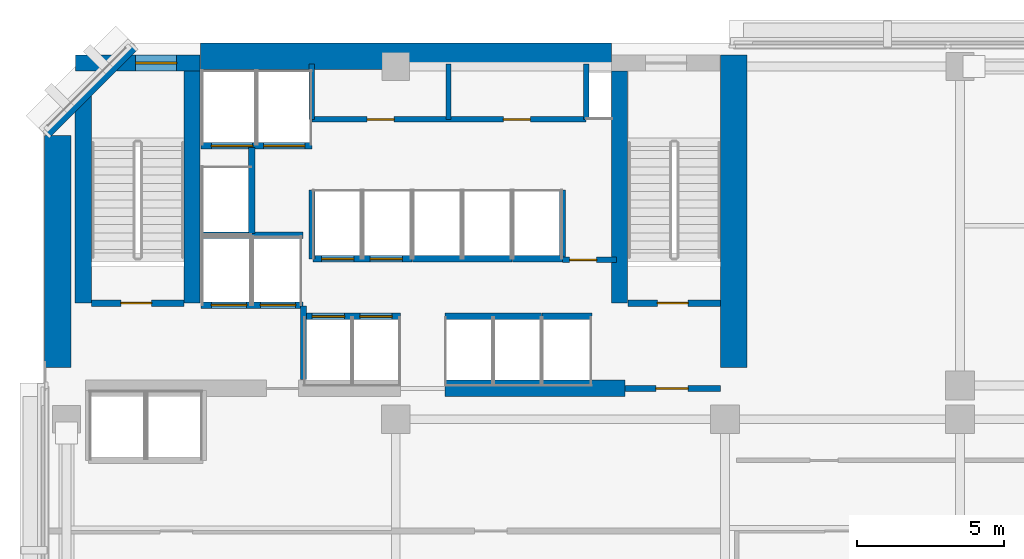
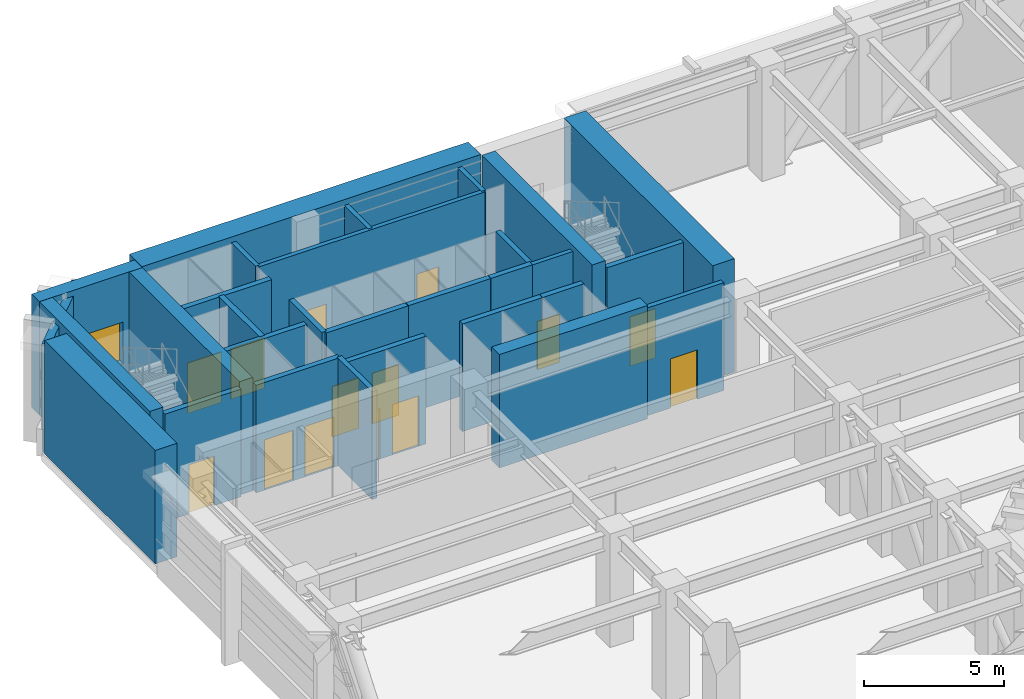
# One storey, part 7 of 13: 30 walls, 14 doors, 1 window, 15 openings.
"""IFC4 building model written with IfcOpenShell, lengths in metres."""

from ifc_helpers import new_model, si_unit, direction, frame, frame_2d, origin, place, context, subcontext, project, spatial, rectangle, extrude, material, layer, layer_set, type_object, element, fill, save


model = new_model("IFC4")

# Units and contexts
model_context = context("Model", 3, precision=1e-05, world=origin(), true_north=direction((0.0, 1.0)))
body_context = subcontext(model_context, "Body", "Model", "MODEL_VIEW")
ifc_project = project(units=[si_unit("LENGTHUNIT", "METRE"), si_unit("AREAUNIT", "SQUARE_METRE"), si_unit("VOLUMEUNIT", "CUBIC_METRE"), si_unit("PLANEANGLEUNIT", "RADIAN"), si_unit("MASSUNIT", "GRAM", prefix="KILO")], contexts=[model_context])

# Site, building, storey
site_placement = place(None, origin())
site = spatial("IfcSite", under=ifc_project, at=site_placement, CompositionType="ELEMENT")
building_placement = place(site_placement, origin())
building = spatial("IfcBuilding", under=site, at=building_placement, Name="Kefirva Bronze Tower", CompositionType="ELEMENT")
storey_placement = place(building_placement, frame((0.0, 0.0, 93.719970703125)))
storey = spatial("IfcBuildingStorey", under=building, at=storey_placement, Name="L22", CompositionType="ELEMENT", Elevation=93.719970703125)

# Wall, opening, door
ifc_material_1 = material(Name="Gypsum fireboard shaftwall")
ifc_layer_1 = layer(ifc_material_1, 0.219970703125, Name="Gypsum fireboard shaftwall")
ifc_layer_set_1 = layer_set([ifc_layer_1], Name="Gypsum fireboard shaftwall")
wall_type_1 = type_object("IfcWallType", Name="Fire-Rated Shaft Enclosure Wall 220mm", PredefinedType="PARTITIONING", material=ifc_layer_set_1)
wall_1_placement = place(storey_placement, frame((1.64990234375, 37.14990234375, 0.0), z_axis=(0.0, 0.0, 1.0), x_axis=(1.0, 0.0, 0.0)))
wall_1 = element("IfcWall", 1, at=wall_1_placement, inside=storey, type_object=wall_type_1, Name="L22 Partition W-L22-ST1S", PredefinedType="PARTITIONING", context=body_context, shape_type="SweptSolid", body=[
    extrude(rectangle(XDim=3.150146484375, YDim=0.219970703125, at=frame_2d((1.5751953125, 0.0))), origin(), (0.0, 0.0, 1.0), 4.699951171875),
])
opening_1_placement = place(wall_1_placement, frame((2.050048828125, 0.0, 0.0), z_axis=(0.0, 0.0, 1.0), x_axis=(-1.0, 0.0, 0.0)))
opening_1 = element("IfcOpeningElement", 2, at=opening_1_placement, cuts=wall_1, Name="Opening L22-D001", PredefinedType="OPENING", context=body_context, shape_type="SweptSolid", body=[
    extrude(rectangle(XDim=1.050048828125, YDim=2.14990234375, at=frame_2d((0.52490234375, 1.074951171875))), frame((0.0, 0.1201171875, 0.0), z_axis=(0.0, -1.0, 0.0), x_axis=(1.0, 0.0, 0.0)), (0.0, 0.0, 1.0), 0.239990234375),
])
ifc_material_2 = material(Name="Painted galvanized steel", Category="steel")
door_type_1 = type_object("IfcDoorType", Name="Fire Stair Enclosure Door 1050x2150 FD90S", OperationType="NOTDEFINED", PredefinedType="DOOR", material=ifc_material_2)
door_1_placement = place(opening_1_placement, origin())
door_1 = element("IfcDoor", 3, at=door_1_placement, inside=storey, type_object=door_type_1, Name="Door L22-D001", OperationType="SINGLE_SWING_RIGHT", OverallHeight=2.14990234375, OverallWidth=1.050048828125, PredefinedType="DOOR", context=body_context, shape_type="SweptSolid", body=[
    extrude(rectangle(XDim=1.050048828125, YDim=2.14990234375, at=frame_2d((0.52490234375, 1.074951171875))), frame((0.0, 0.02490234375, 0.0), z_axis=(0.0, -1.0, 0.0), x_axis=(1.0, 0.0, 0.0)), (0.0, 0.0, 1.0), 0.050048828125),
])
fill(opening_1, door_1)

wall_2_placement = place(storey_placement, frame((19.89990234375, 37.14990234375, 0.0), z_axis=(0.0, 0.0, 1.0), x_axis=(1.0, 0.0, 0.0)))
wall_2 = element("IfcWall", 4, at=wall_2_placement, inside=storey, type_object=wall_type_1, Name="L22 Partition W-L22-ST2S", PredefinedType="PARTITIONING", context=body_context, shape_type="SweptSolid", body=[
    extrude(rectangle(XDim=3.150146484375, YDim=0.219970703125, at=frame_2d((1.5751953125, 0.0))), origin(), (0.0, 0.0, 1.0), 4.699951171875),
])
opening_2_placement = place(wall_2_placement, frame((2.050048828125, 0.0, 0.0), z_axis=(0.0, 0.0, 1.0), x_axis=(-1.0, 0.0, 0.0)))
opening_2 = element("IfcOpeningElement", 5, at=opening_2_placement, cuts=wall_2, Name="Opening L22-D003", PredefinedType="OPENING", context=body_context, shape_type="SweptSolid", body=[
    extrude(rectangle(XDim=1.050048828125, YDim=2.14990234375, at=frame_2d((0.52490234375, 1.074951171875))), frame((0.0, 0.1201171875, 0.0), z_axis=(0.0, -1.0, 0.0), x_axis=(1.0, 0.0, 0.0)), (0.0, 0.0, 1.0), 0.239990234375),
])
door_2_placement = place(opening_2_placement, origin())
door_2 = element("IfcDoor", 6, at=door_2_placement, inside=storey, type_object=door_type_1, Name="Door L22-D003", OperationType="SINGLE_SWING_RIGHT", OverallHeight=2.14990234375, OverallWidth=1.050048828125, PredefinedType="DOOR", context=body_context, shape_type="SweptSolid", body=[
    extrude(rectangle(XDim=1.050048828125, YDim=2.14990234375, at=frame_2d((0.52490234375, 1.074951171875))), frame((0.0, 0.02490234375, 0.0), z_axis=(0.0, -1.0, 0.0), x_axis=(1.0, 0.0, 0.0)), (0.0, 0.0, 1.0), 0.050048828125),
])
fill(opening_2, door_2)

# Wall, openings, doors
wall_3_placement = place(storey_placement, frame((5.3798828125, 37.080078125, 0.0), z_axis=(0.0, 0.0, 1.0), x_axis=(1.0, 0.0, 0.0)))
wall_3 = element("IfcWall", 7, at=wall_3_placement, inside=storey, type_object=wall_type_1, Name="L22 Partition W-L22-FFS", PredefinedType="PARTITIONING", context=body_context, shape_type="SweptSolid", body=[
    extrude(rectangle(XDim=3.460205078125, YDim=0.219970703125, at=frame_2d((1.72998046875, 0.0))), origin(), (0.0, 0.0, 1.0), 4.699951171875),
])
opening_3_placement = place(wall_3_placement, frame((1.550048828125, 0.0, 0.0), z_axis=(0.0, 0.0, 1.0), x_axis=(-1.0, 0.0, 0.0)))
opening_3 = element("IfcOpeningElement", 8, at=opening_3_placement, cuts=wall_3, Name="Opening L22-LD-FF1", PredefinedType="OPENING", context=body_context, shape_type="SweptSolid", body=[
    extrude(rectangle(XDim=1.199951171875, YDim=2.199951171875, at=frame_2d((0.60009765625, 1.10009765625))), frame((0.0, 0.1201171875, 0.0), z_axis=(0.0, -1.0, 0.0), x_axis=(1.0, 0.0, 0.0)), (0.0, 0.0, 1.0), 0.239990234375),
])
opening_4_placement = place(wall_3_placement, frame((3.219970703125, 0.0, 0.0), z_axis=(0.0, 0.0, 1.0), x_axis=(-1.0, 0.0, 0.0)))
opening_4 = element("IfcOpeningElement", 9, at=opening_4_placement, cuts=wall_3, Name="Opening L22-LD-FF2", PredefinedType="OPENING", context=body_context, shape_type="SweptSolid", body=[
    extrude(rectangle(XDim=1.199951171875, YDim=2.199951171875, at=frame_2d((0.60009765625, 1.10009765625))), frame((0.0, 0.1201171875, 0.0), z_axis=(0.0, -1.0, 0.0), x_axis=(1.0, 0.0, 0.0)), (0.0, 0.0, 1.0), 0.239990234375),
])
ifc_material_3 = material(Name="Stainless steel 316", Category="steel")
door_type_2 = type_object("IfcDoorType", Name="Firefighting Lift Sliding Door 1200x2200", OperationType="SLIDING_TO_RIGHT", PredefinedType="DOOR", material=ifc_material_3)
door_3_placement = place(opening_3_placement, origin())
door_3 = element("IfcDoor", 10, at=door_3_placement, inside=storey, type_object=door_type_2, Name="Door L22-LD-FF1", OperationType="SLIDING_TO_RIGHT", OverallHeight=2.199951171875, OverallWidth=1.199951171875, PredefinedType="DOOR", context=body_context, shape_type="SweptSolid", body=[
    extrude(rectangle(XDim=1.199951171875, YDim=2.199951171875, at=frame_2d((0.60009765625, 1.10009765625))), frame((0.0, 0.02490234375, 0.0), z_axis=(0.0, -1.0, 0.0), x_axis=(1.0, 0.0, 0.0)), (0.0, 0.0, 1.0), 0.050048828125),
])
fill(opening_3, door_3)
door_4_placement = place(opening_4_placement, origin())
door_4 = element("IfcDoor", 11, at=door_4_placement, inside=storey, type_object=door_type_2, Name="Door L22-LD-FF2", OperationType="SLIDING_TO_RIGHT", OverallHeight=2.199951171875, OverallWidth=1.199951171875, PredefinedType="DOOR", context=body_context, shape_type="SweptSolid", body=[
    extrude(rectangle(XDim=1.199951171875, YDim=2.199951171875, at=frame_2d((0.60009765625, 1.10009765625))), frame((0.0, 0.02490234375, 0.0), z_axis=(0.0, -1.0, 0.0), x_axis=(1.0, 0.0, 0.0)), (0.0, 0.0, 1.0), 0.050048828125),
])
fill(opening_4, door_4)

# Wall
wall_4_placement = place(storey_placement, frame((5.3798828125, 39.449951171875, 0.0), z_axis=(0.0, 0.0, 1.0), x_axis=(1.0, 0.0, 0.0)))
element("IfcWall", 12, at=wall_4_placement, inside=storey, type_object=wall_type_1, Name="L22 Partition W-L22-FFN", PredefinedType="PARTITIONING", context=body_context, shape_type="SweptSolid", body=[
    extrude(rectangle(XDim=3.460205078125, YDim=0.219970703125, at=frame_2d((1.72998046875, 0.0))), origin(), (0.0, 0.0, 1.0), 4.699951171875),
])

# Wall, openings, doors
wall_5_placement = place(storey_placement, frame((5.3798828125, 42.5, 0.0), z_axis=(0.0, 0.0, 1.0), x_axis=(1.0, 0.0, 0.0)))
wall_5 = element("IfcWall", 13, at=wall_5_placement, inside=storey, type_object=wall_type_1, Name="L22 Partition W-L22-SVS", PredefinedType="PARTITIONING", context=body_context, shape_type="SweptSolid", body=[
    extrude(rectangle(XDim=3.77001953125, YDim=0.219970703125, at=frame_2d((1.885009765625, 0.0))), origin(), (0.0, 0.0, 1.0), 4.699951171875),
])
opening_5_placement = place(wall_5_placement, frame((1.75, 0.0, 0.0), z_axis=(0.0, 0.0, 1.0), x_axis=(-1.0, 0.0, 0.0)))
opening_5 = element("IfcOpeningElement", 14, at=opening_5_placement, cuts=wall_5, Name="Opening L22-LD-SV1", PredefinedType="OPENING", context=body_context, shape_type="SweptSolid", body=[
    extrude(rectangle(XDim=1.39990234375, YDim=2.199951171875, at=frame_2d((0.699951171875, 1.10009765625))), frame((0.0, 0.1201171875, 0.0), z_axis=(0.0, -1.0, 0.0), x_axis=(1.0, 0.0, 0.0)), (0.0, 0.0, 1.0), 0.239990234375),
])
opening_6_placement = place(wall_5_placement, frame((3.52978515625, 0.0, 0.0), z_axis=(0.0, 0.0, 1.0), x_axis=(-1.0, 0.0, 0.0)))
opening_6 = element("IfcOpeningElement", 15, at=opening_6_placement, cuts=wall_5, Name="Opening L22-LD-SV2", PredefinedType="OPENING", context=body_context, shape_type="SweptSolid", body=[
    extrude(rectangle(XDim=1.39990234375, YDim=2.199951171875, at=frame_2d((0.699951171875, 1.10009765625))), frame((0.0, 0.1201171875, 0.0), z_axis=(0.0, -1.0, 0.0), x_axis=(1.0, 0.0, 0.0)), (0.0, 0.0, 1.0), 0.239990234375),
])
door_type_3 = type_object("IfcDoorType", Name="Goods Lift Bi-Parting Sliding Door 1400x2200", OperationType="SLIDING_TO_LEFT", PredefinedType="DOOR", material=ifc_material_3)
door_5_placement = place(opening_5_placement, origin())
door_5 = element("IfcDoor", 16, at=door_5_placement, inside=storey, type_object=door_type_3, Name="Door L22-LD-SV1", OperationType="SLIDING_TO_LEFT", OverallHeight=2.199951171875, OverallWidth=1.39990234375, PredefinedType="DOOR", context=body_context, shape_type="SweptSolid", body=[
    extrude(rectangle(XDim=1.39990234375, YDim=2.199951171875, at=frame_2d((0.699951171875, 1.10009765625))), frame((0.0, 0.02490234375, 0.0), z_axis=(0.0, -1.0, 0.0), x_axis=(1.0, 0.0, 0.0)), (0.0, 0.0, 1.0), 0.050048828125),
])
fill(opening_5, door_5)
door_6_placement = place(opening_6_placement, origin())
door_6 = element("IfcDoor", 17, at=door_6_placement, inside=storey, type_object=door_type_3, Name="Door L22-LD-SV2", OperationType="SLIDING_TO_LEFT", OverallHeight=2.199951171875, OverallWidth=1.39990234375, PredefinedType="DOOR", context=body_context, shape_type="SweptSolid", body=[
    extrude(rectangle(XDim=1.39990234375, YDim=2.199951171875, at=frame_2d((0.699951171875, 1.10009765625))), frame((0.0, 0.02490234375, 0.0), z_axis=(0.0, -1.0, 0.0), x_axis=(1.0, 0.0, 0.0)), (0.0, 0.0, 1.0), 0.050048828125),
])
fill(opening_6, door_6)

# Walls
wall_6_placement = place(storey_placement, frame((7.10009765625, 39.52001953125, 0.0), z_axis=(0.0, 0.0, 1.0), x_axis=(0.0, 1.0, 0.0)))
element("IfcWall", 18, at=wall_6_placement, inside=storey, type_object=wall_type_1, Name="L22 Partition W-L22-HP3E", PredefinedType="PARTITIONING", context=body_context, shape_type="SweptSolid", body=[
    extrude(rectangle(XDim=2.929931640625, YDim=0.219970703125, at=frame_2d((1.46484375, 0.0))), origin(), (0.0, 0.0, 1.0), 4.699951171875),
])
for number, where, z_axis, x_axis, name in (
    (19, (9.159912109375, 38.64990234375, 0.0), (0.0, 0.0, 1.0), (0.0, 1.0, 0.0), "L22 Partition W-L22-LP3W"),
    (20, (17.679931640625, 38.64990234375, 0.0), (0.0, 0.0, 1.0), (0.0, 1.0, 0.0), "L22 Partition W-L22-HP2E"),
):
    element("IfcWall", number, at=place(storey_placement, frame(where, z_axis=z_axis, x_axis=x_axis)), inside=storey, type_object=wall_type_1, Name=name, PredefinedType="PARTITIONING", context=body_context, shape_type="SweptSolid", body=[
        extrude(rectangle(XDim=2.35009765625, YDim=0.199951171875, at=frame_2d((1.175048828125, 0.0))), origin(), (0.0, 0.0, 1.0), 4.699951171875),
    ])

# Wall, openings, doors
wall_7_placement = place(storey_placement, frame((8.89990234375, 36.699951171875, 0.0), z_axis=(0.0, 0.0, 1.0), x_axis=(1.0, 0.0, 0.0)))
wall_7 = element("IfcWall", 21, at=wall_7_placement, inside=storey, type_object=wall_type_1, Name="L22 Partition W-L22-LPS", PredefinedType="PARTITIONING", context=body_context, shape_type="SweptSolid", body=[
    extrude(rectangle(XDim=3.260009765625, YDim=0.219970703125, at=frame_2d((1.6298828125, 0.0))), origin(), (0.0, 0.0, 1.0), 4.699951171875),
])
opening_7_placement = place(wall_7_placement, frame((0.260009765625, 0.0, 0.0)))
opening_7 = element("IfcOpeningElement", 22, at=opening_7_placement, cuts=wall_7, Name="Opening L22-LD-LP1", PredefinedType="OPENING", context=body_context, shape_type="SweptSolid", body=[
    extrude(rectangle(XDim=1.10009765625, YDim=2.199951171875, at=frame_2d((0.550048828125, 1.10009765625))), frame((0.0, 0.1201171875, 0.0), z_axis=(0.0, -1.0, 0.0), x_axis=(1.0, 0.0, 0.0)), (0.0, 0.0, 1.0), 0.239990234375),
])
opening_8_placement = place(wall_7_placement, frame((1.8798828125, 0.0, 0.0)))
opening_8 = element("IfcOpeningElement", 23, at=opening_8_placement, cuts=wall_7, Name="Opening L22-LD-LP2", PredefinedType="OPENING", context=body_context, shape_type="SweptSolid", body=[
    extrude(rectangle(XDim=1.10009765625, YDim=2.199951171875, at=frame_2d((0.550048828125, 1.10009765625))), frame((0.0, 0.1201171875, 0.0), z_axis=(0.0, -1.0, 0.0), x_axis=(1.0, 0.0, 0.0)), (0.0, 0.0, 1.0), 0.239990234375),
])
door_type_4 = type_object("IfcDoorType", Name="Passenger Lift Sliding Landing Door 1100x2200", OperationType="SLIDING_TO_LEFT", PredefinedType="DOOR", material=ifc_material_3)
door_7_placement = place(opening_7_placement, origin())
door_7 = element("IfcDoor", 24, at=door_7_placement, inside=storey, type_object=door_type_4, Name="Door L22-LD-LP1", OperationType="SLIDING_TO_LEFT", OverallHeight=2.199951171875, OverallWidth=1.10009765625, PredefinedType="DOOR", context=body_context, shape_type="SweptSolid", body=[
    extrude(rectangle(XDim=1.10009765625, YDim=2.199951171875, at=frame_2d((0.550048828125, 1.10009765625))), frame((0.0, 0.02490234375, 0.0), z_axis=(0.0, -1.0, 0.0), x_axis=(1.0, 0.0, 0.0)), (0.0, 0.0, 1.0), 0.050048828125),
])
fill(opening_7, door_7)
door_8_placement = place(opening_8_placement, origin())
door_8 = element("IfcDoor", 25, at=door_8_placement, inside=storey, type_object=door_type_4, Name="Door L22-LD-LP2", OperationType="SLIDING_TO_LEFT", OverallHeight=2.199951171875, OverallWidth=1.10009765625, PredefinedType="DOOR", context=body_context, shape_type="SweptSolid", body=[
    extrude(rectangle(XDim=1.10009765625, YDim=2.199951171875, at=frame_2d((0.550048828125, 1.10009765625))), frame((0.0, 0.02490234375, 0.0), z_axis=(0.0, -1.0, 0.0), x_axis=(1.0, 0.0, 0.0)), (0.0, 0.0, 1.0), 0.050048828125),
])
fill(opening_8, door_8)

wall_8_placement = place(storey_placement, frame((9.179931640625, 38.64990234375, 0.0), z_axis=(0.0, 0.0, 1.0), x_axis=(1.0, 0.0, 0.0)))
wall_8 = element("IfcWall", 26, at=wall_8_placement, inside=storey, type_object=wall_type_1, Name="L22 Partition W-L22-LPN", PredefinedType="PARTITIONING", context=body_context, shape_type="SweptSolid", body=[
    extrude(rectangle(XDim=3.380126953125, YDim=0.219970703125, at=frame_2d((1.68994140625, 0.0))), origin(), (0.0, 0.0, 1.0), 4.699951171875),
])
opening_9_placement = place(wall_8_placement, frame((0.300048828125, 0.0, 0.0)))
opening_9 = element("IfcOpeningElement", 27, at=opening_9_placement, cuts=wall_8, Name="Opening L22-LD-LP3", PredefinedType="OPENING", context=body_context, shape_type="SweptSolid", body=[
    extrude(rectangle(XDim=1.10009765625, YDim=2.199951171875, at=frame_2d((0.550048828125, 1.10009765625))), frame((0.0, 0.1201171875, 0.0), z_axis=(0.0, -1.0, 0.0), x_axis=(1.0, 0.0, 0.0)), (0.0, 0.0, 1.0), 0.239990234375),
])
opening_10_placement = place(wall_8_placement, frame((1.949951171875, 0.0, 0.0)))
opening_10 = element("IfcOpeningElement", 28, at=opening_10_placement, cuts=wall_8, Name="Opening L22-LD-LP4", PredefinedType="OPENING", context=body_context, shape_type="SweptSolid", body=[
    extrude(rectangle(XDim=1.10009765625, YDim=2.199951171875, at=frame_2d((0.550048828125, 1.10009765625))), frame((0.0, 0.1201171875, 0.0), z_axis=(0.0, -1.0, 0.0), x_axis=(1.0, 0.0, 0.0)), (0.0, 0.0, 1.0), 0.239990234375),
])
door_9_placement = place(opening_9_placement, origin())
door_9 = element("IfcDoor", 29, at=door_9_placement, inside=storey, type_object=door_type_4, Name="Door L22-LD-LP3", OperationType="SLIDING_TO_LEFT", OverallHeight=2.199951171875, OverallWidth=1.10009765625, PredefinedType="DOOR", context=body_context, shape_type="SweptSolid", body=[
    extrude(rectangle(XDim=1.10009765625, YDim=2.199951171875, at=frame_2d((0.550048828125, 1.10009765625))), frame((0.0, 0.02490234375, 0.0), z_axis=(0.0, -1.0, 0.0), x_axis=(1.0, 0.0, 0.0)), (0.0, 0.0, 1.0), 0.050048828125),
])
fill(opening_9, door_9)
door_10_placement = place(opening_10_placement, origin())
door_10 = element("IfcDoor", 30, at=door_10_placement, inside=storey, type_object=door_type_4, Name="Door L22-LD-LP4", OperationType="SLIDING_TO_LEFT", OverallHeight=2.199951171875, OverallWidth=1.10009765625, PredefinedType="DOOR", context=body_context, shape_type="SweptSolid", body=[
    extrude(rectangle(XDim=1.10009765625, YDim=2.199951171875, at=frame_2d((0.550048828125, 1.10009765625))), frame((0.0, 0.02490234375, 0.0), z_axis=(0.0, -1.0, 0.0), x_axis=(1.0, 0.0, 0.0)), (0.0, 0.0, 1.0), 0.050048828125),
])
fill(opening_10, door_10)

# Walls
wall_9_placement = place(storey_placement, frame((13.679931640625, 36.699951171875, 0.0), z_axis=(0.0, 0.0, 1.0), x_axis=(1.0, 0.0, 0.0)))
element("IfcWall", 31, at=wall_9_placement, inside=storey, type_object=wall_type_1, Name="L22 Partition W-L22-MPS", PredefinedType="PARTITIONING", context=body_context, shape_type="SweptSolid", body=[
    extrude(rectangle(XDim=3.280029296875, YDim=0.219970703125, at=frame_2d((1.64013671875, 0.0))), origin(), (0.0, 0.0, 1.0), 4.699951171875),
])
wall_10_placement = place(storey_placement, frame((12.580078125, 38.64990234375, 0.0), z_axis=(0.0, 0.0, 1.0), x_axis=(1.0, 0.0, 0.0)))
element("IfcWall", 32, at=wall_10_placement, inside=storey, type_object=wall_type_1, Name="L22 Partition W-L22-MPN", PredefinedType="PARTITIONING", context=body_context, shape_type="SweptSolid", body=[
    extrude(rectangle(XDim=3.3798828125, YDim=0.219970703125, at=frame_2d((1.68994140625, 0.0))), origin(), (0.0, 0.0, 1.0), 4.699951171875),
])
wall_11_placement = place(storey_placement, frame((16.97998046875, 36.699951171875, 0.0), z_axis=(0.0, 0.0, 1.0), x_axis=(1.0, 0.0, 0.0)))
element("IfcWall", 33, at=wall_11_placement, inside=storey, type_object=wall_type_1, Name="L22 Partition W-L22-HPS", PredefinedType="PARTITIONING", context=body_context, shape_type="SweptSolid", body=[
    extrude(rectangle(XDim=1.699951171875, YDim=0.219970703125, at=frame_2d((0.85009765625, 0.0))), origin(), (0.0, 0.0, 1.0), 4.699951171875),
])
wall_12_placement = place(storey_placement, frame((15.97998046875, 38.64990234375, 0.0), z_axis=(0.0, 0.0, 1.0), x_axis=(1.0, 0.0, 0.0)))
element("IfcWall", 34, at=wall_12_placement, inside=storey, type_object=wall_type_1, Name="L22 Partition W-L22-HPN", PredefinedType="PARTITIONING", context=body_context, shape_type="SweptSolid", body=[
    extrude(rectangle(XDim=1.719970703125, YDim=0.219970703125, at=frame_2d((0.85986328125, 0.0))), origin(), (0.0, 0.0, 1.0), 4.699951171875),
])
ifc_material_4 = material(Name="Gypsum fireboard barrier")
ifc_layer_2 = layer(ifc_material_4, 0.199951171875, Name="Gypsum fireboard barrier")
ifc_layer_set_2 = layer_set([ifc_layer_2], Name="Gypsum fireboard barrier")
wall_type_2 = type_object("IfcWallType", Name="Firefighting Lobby Barrier Wall 200mm", PredefinedType="PARTITIONING", material=ifc_layer_set_2)
wall_13_placement = place(storey_placement, frame((8.860107421875, 34.550048828125, 0.0), z_axis=(0.0, 0.0, 1.0), x_axis=(0.0, 1.0, 0.0)))
element("IfcWall", 35, at=wall_13_placement, inside=storey, type_object=wall_type_2, Name="L22 Partition W-L22-FFLE", PredefinedType="PARTITIONING", context=body_context, shape_type="SweptSolid", body=[
    extrude(rectangle(XDim=2.5, YDim=0.199951171875, at=frame_2d((1.25, 0.0))), origin(), (0.0, 0.0, 1.0), 4.699951171875),
])

# Wall, opening, door
wall_14_placement = place(storey_placement, frame((19.800048828125, 34.25, 0.0), z_axis=(0.0, 0.0, 1.0), x_axis=(1.0, 0.0, 0.0)))
wall_14 = element("IfcWall", 36, at=wall_14_placement, inside=storey, type_object=wall_type_2, Name="L22 Partition W-L22-ST2F", PredefinedType="PARTITIONING", context=body_context, shape_type="SweptSolid", body=[
    extrude(rectangle(XDim=3.25, YDim=0.199951171875, at=frame_2d((1.625, 0.0))), origin(), (0.0, 0.0, 1.0), 4.699951171875),
])
opening_11_placement = place(wall_14_placement, frame((2.150146484375, 0.0, 0.0), z_axis=(0.0, 0.0, 1.0), x_axis=(-1.0, 0.0, 0.0)))
opening_11 = element("IfcOpeningElement", 37, at=opening_11_placement, cuts=wall_14, Name="Opening L22-D004", PredefinedType="OPENING", context=body_context, shape_type="SweptSolid", body=[
    extrude(rectangle(XDim=1.10009765625, YDim=2.14990234375, at=frame_2d((0.550048828125, 1.074951171875))), frame((0.0, 0.10986328125, 0.0), z_axis=(0.0, -1.0, 0.0), x_axis=(1.0, 0.0, 0.0)), (0.0, 0.0, 1.0), 0.219970703125),
])
door_type_5 = type_object("IfcDoorType", Name="Firefighting Lobby Smoke Door 1100x2150 FD60S", OperationType="NOTDEFINED", PredefinedType="DOOR", material=ifc_material_2)
door_11_placement = place(opening_11_placement, origin())
door_11 = element("IfcDoor", 38, at=door_11_placement, inside=storey, type_object=door_type_5, Name="Door L22-D004", OperationType="SINGLE_SWING_LEFT", OverallHeight=2.14990234375, OverallWidth=1.10009765625, PredefinedType="DOOR", context=body_context, shape_type="SweptSolid", body=[
    extrude(rectangle(XDim=1.10009765625, YDim=2.14990234375, at=frame_2d((0.550048828125, 1.074951171875))), frame((0.0, 0.02490234375, 0.0), z_axis=(0.0, -1.0, 0.0), x_axis=(1.0, 0.0, 0.0)), (0.0, 0.0, 1.0), 0.050048828125),
])
fill(opening_11, door_11)

wall_15_placement = place(storey_placement, frame((17.679931640625, 38.6201171875, 0.0), z_axis=(0.0, 0.0, 1.0), x_axis=(1.0, 0.0, 0.0)))
wall_15 = element("IfcWall", 39, at=wall_15_placement, inside=storey, type_object=wall_type_2, Name="L22 Partition W-L22-CPASS", PredefinedType="PARTITIONING", context=body_context, shape_type="SweptSolid", body=[
    extrude(rectangle(XDim=1.840087890625, YDim=0.179931640625, at=frame_2d((0.919921875, 0.0))), origin(), (0.0, 0.0, 1.0), 4.699951171875),
])
opening_12_placement = place(wall_15_placement, frame((0.239990234375, 0.0, 0.0)))
opening_12 = element("IfcOpeningElement", 40, at=opening_12_placement, cuts=wall_15, Name="Opening L22-D-CPAS", PredefinedType="OPENING", context=body_context, shape_type="SweptSolid", body=[
    extrude(rectangle(XDim=0.919921875, YDim=2.10009765625, at=frame_2d((0.4599609375, 1.050048828125))), frame((0.0, 0.10009765625, 0.0), z_axis=(0.0, -1.0, 0.0), x_axis=(1.0, 0.0, 0.0)), (0.0, 0.0, 1.0), 0.199951171875),
])
ifc_material_5 = material(Name="Moisture-resistant timber", Category="wood")
door_type_6 = type_object("IfcDoorType", Name="Accessible Sanitary & WC Door 920x2100", OperationType="NOTDEFINED", PredefinedType="DOOR", material=ifc_material_5)
door_12_placement = place(opening_12_placement, origin())
door_12 = element("IfcDoor", 41, at=door_12_placement, inside=storey, type_object=door_type_6, Name="Door L22-D-CPAS", OperationType="SINGLE_SWING_RIGHT", OverallHeight=2.10009765625, OverallWidth=0.919921875, PredefinedType="DOOR", context=body_context, shape_type="SweptSolid", body=[
    extrude(rectangle(XDim=0.919921875, YDim=2.10009765625, at=frame_2d((0.4599609375, 1.050048828125))), frame((0.0, 0.02490234375, 0.0), z_axis=(0.0, -1.0, 0.0), x_axis=(1.0, 0.0, 0.0)), (0.0, 0.0, 1.0), 0.050048828125),
])
fill(opening_12, door_12)

# Wall
ifc_material_6 = material(Name="Precast concrete C40/50", Category="concrete")
ifc_layer_3 = layer(ifc_material_6, 0.320068359375, Name="Precast concrete C40/50")
ifc_layer_set_3 = layer_set([ifc_layer_3], Name="Precast concrete C40/50")
wall_type_3 = type_object("IfcWallType", Name="Precast Insulated Exterior Wall 320mm", PredefinedType="SOLIDWALL", material=ifc_layer_set_3)
wall_16_placement = place(storey_placement, frame((3.07421875, 45.847900390625, 0.0), z_axis=(0.0, 0.0, 1.0), x_axis=(-0.707106781187, -0.707106781187, 0.0)))
element("IfcWall", 42, at=wall_16_placement, inside=storey, type_object=wall_type_3, Name="L22 Exterior Facade Wall 6", PredefinedType="SOLIDWALL", context=body_context, shape_type="SweptSolid", body=[
    extrude(rectangle(XDim=4.132568359375, YDim=0.320068359375, at=frame_2d((2.06640625, 0.0))), origin(), (0.0, 0.0, 1.0), 4.699951171875),
])

# Wall, opening, window
ifc_material_7 = material(Name="Concrete C50/60", Category="concrete")
ifc_layer_4 = layer(ifc_material_7, 0.550048828125, Name="Concrete C50/60")
ifc_layer_set_4 = layer_set([ifc_layer_4], Name="Concrete C50/60")
wall_type_4 = type_object("IfcWallType", Name="RC Rear Core Exterior Wall 550mm", PredefinedType="SHEAR", material=ifc_layer_set_4)
wall_17_placement = place(storey_placement, frame((1.10009765625, 45.320068359375, 0.0), z_axis=(0.0, 0.0, 1.0), x_axis=(1.0, 0.0, 0.0)))
wall_17 = element("IfcWall", 43, at=wall_17_placement, inside=storey, type_object=wall_type_4, Name="L22 Stair 1 North Shear Wall", PredefinedType="SHEAR", context=body_context, shape_type="SweptSolid", body=[
    extrude(rectangle(XDim=4.239990234375, YDim=0.550048828125, at=frame_2d((2.1201171875, 0.0))), origin(), (0.0, 0.0, 1.0), 4.949951171875),
])
opening_13_placement = place(wall_17_placement, frame((2.050048828125, 0.0, 1.050048828125)))
opening_13 = element("IfcOpeningElement", 44, at=opening_13_placement, cuts=wall_17, Name="Opening WN-03", PredefinedType="OPENING", context=body_context, shape_type="SweptSolid", body=[
    extrude(rectangle(XDim=1.39990234375, YDim=1.800048828125, at=frame_2d((0.699951171875, 0.89990234375))), frame((0.0, 0.28515625, 0.0), z_axis=(0.0, -1.0, 0.0), x_axis=(1.0, 0.0, 0.0)), (0.0, 0.0, 1.0), 0.570068359375),
])
ifc_material_8 = material(Name="Laminated low-E double glazing", Category="glass")
window_type = type_object("IfcWindowType", Name="Rear-Core Stair Daylight Window 1400x1800", PartitioningType="SINGLE_PANEL", PredefinedType="WINDOW", material=ifc_material_8)
window_placement = place(opening_13_placement, origin())
window = element("IfcWindow", 45, at=window_placement, inside=storey, type_object=window_type, Name="L22 Stair 1 Daylight Window", OverallHeight=1.800048828125, OverallWidth=1.39990234375, PartitioningType="SINGLE_PANEL", PredefinedType="WINDOW", context=body_context, shape_type="SweptSolid", body=[
    extrude(rectangle(XDim=1.39990234375, YDim=1.800048828125, at=frame_2d((0.699951171875, 0.89990234375))), frame((0.0, 0.030029296875, 0.0), z_axis=(0.0, -1.0, 0.0), x_axis=(1.0, 0.0, 0.0)), (0.0, 0.0, 1.0), 0.06005859375),
])
fill(opening_13, window)

# Walls
ifc_material_9 = material(Name="Concrete C60/75", Category="concrete")
ifc_layer_5 = layer(ifc_material_9, 0.89990234375, Name="Concrete C60/75")
ifc_layer_set_5 = layer_set([ifc_layer_5], Name="Concrete C60/75")
wall_type_5 = type_object("IfcWallType", Name="RC Rear Core Exterior Wall 900mm", PredefinedType="SHEAR", material=ifc_layer_set_5)
wall_18_placement = place(storey_placement, frame((5.360107421875, 45.550048828125, 0.0), z_axis=(0.0, 0.0, 1.0), x_axis=(1.0, 0.0, 0.0)))
element("IfcWall", 46, at=wall_18_placement, inside=storey, type_object=wall_type_5, Name="L22 Rear Core North Shear Wall", PredefinedType="SHEAR", context=body_context, shape_type="SweptSolid", body=[
    extrude(rectangle(XDim=13.97998046875, YDim=0.89990234375, at=frame_2d((6.989990234375, 0.0))), origin(), (0.0, 0.0, 1.0), 4.949951171875),
])
wall_19_placement = place(storey_placement, frame((0.5, 34.949951171875, 0.0), z_axis=(0.0, 0.0, 1.0), x_axis=(0.0, 1.0, 0.0)))
element("IfcWall", 47, at=wall_19_placement, inside=storey, type_object=wall_type_5, Name="L22 Rear Core West Shear Wall", PredefinedType="SHEAR", context=body_context, shape_type="SweptSolid", body=[
    extrude(rectangle(XDim=7.900146484375, YDim=0.89990234375, at=frame_2d((3.9501953125, 0.0))), origin(), (0.0, 0.0, 1.0), 4.949951171875),
])
ifc_layer_6 = layer(ifc_material_7, 0.550048828125, Name="Concrete C50/60")
ifc_layer_set_6 = layer_set([ifc_layer_6], Name="Concrete C50/60")
wall_type_6 = type_object("IfcWallType", Name="RC Rear Core Interior Wall 550mm", PredefinedType="SHEAR", material=ifc_layer_set_6)
for number, where, z_axis, x_axis, name in (
    (48, (1.3701171875, 37.14990234375, 0.0), (0.0, 0.0, 1.0), (0.0, 1.0, 0.0), "L22 Stair 1 West Shear Wall"),
    (49, (5.070068359375, 37.14990234375, 0.0), (0.0, 0.0, 1.0), (0.0, 1.0, 0.0), "L22 Stair 1 East Shear Wall"),
    (50, (19.6201171875, 37.14990234375, 0.0), (0.0, 0.0, 1.0), (0.0, 1.0, 0.0), "L22 Stair 2 West Shear Wall"),
):
    element("IfcWall", number, at=place(storey_placement, frame(where, z_axis=z_axis, x_axis=x_axis)), inside=storey, type_object=wall_type_6, Name=name, PredefinedType="SHEAR", context=body_context, shape_type="SweptSolid", body=[
        extrude(rectangle(XDim=7.89013671875, YDim=0.550048828125, at=frame_2d((3.945068359375, 0.0))), origin(), (0.0, 0.0, 1.0), 4.949951171875),
    ])
ifc_layer_7 = layer(ifc_material_9, 0.89990234375, Name="Concrete C60/75")
ifc_layer_set_7 = layer_set([ifc_layer_7], Name="Concrete C60/75")
wall_type_7 = type_object("IfcWallType", Name="RC Rear Core Interior Wall 900mm", PredefinedType="SHEAR", material=ifc_layer_set_7)
wall_20_placement = place(storey_placement, frame((23.5, 34.949951171875, 0.0), z_axis=(0.0, 0.0, 1.0), x_axis=(0.0, 1.0, 0.0)))
element("IfcWall", 51, at=wall_20_placement, inside=storey, type_object=wall_type_7, Name="L22 Rear Core East Shear Wall", PredefinedType="SHEAR", context=body_context, shape_type="SweptSolid", body=[
    extrude(rectangle(XDim=10.64013671875, YDim=0.89990234375, at=frame_2d((5.320068359375, 0.0))), origin(), (0.0, 0.0, 1.0), 4.949951171875),
])
wall_21_placement = place(storey_placement, frame((13.679931640625, 34.25, 0.0), z_axis=(0.0, 0.0, 1.0), x_axis=(1.0, 0.0, 0.0)))
element("IfcWall", 52, at=wall_21_placement, inside=storey, type_object=wall_type_7, Name="L22 Rear Core South-East Shear Wall", PredefinedType="SHEAR", context=body_context, shape_type="SweptSolid", body=[
    extrude(rectangle(XDim=6.1201171875, YDim=0.550048828125, at=frame_2d((3.06005859375, 0.0))), origin(), (0.0, 0.0, 1.0), 4.949951171875),
])

# Wall, openings, doors
ifc_material_10 = material(Name="Moisture-resistant partition")
ifc_layer_8 = layer(ifc_material_10, 0.179931640625, Name="Moisture-resistant partition")
ifc_layer_set_8 = layer_set([ifc_layer_8], Name="Moisture-resistant partition")
wall_type_8 = type_object("IfcWallType", Name="Sanitary Plumbing Chase Wall 180mm", PredefinedType="PLUMBINGWALL", material=ifc_layer_set_8)
wall_22_placement = place(storey_placement, frame((9.14990234375, 43.39990234375, 0.0), z_axis=(0.0, 0.0, 1.0), x_axis=(1.0, 0.0, 0.0)))
wall_22 = element("IfcWall", 53, at=wall_22_placement, inside=storey, type_object=wall_type_8, Name="L22 Partition W-L22-SVCS", PredefinedType="PLUMBINGWALL", context=body_context, shape_type="SweptSolid", body=[
    extrude(rectangle(XDim=9.330078125, YDim=0.179931640625, at=frame_2d((4.6650390625, 0.0))), origin(), (0.0, 0.0, 1.0), 4.699951171875),
])
opening_14_placement = place(wall_22_placement, frame((1.8798828125, 0.0, 0.0)))
opening_14 = element("IfcOpeningElement", 54, at=opening_14_placement, cuts=wall_22, Name="Opening L22-D-CSVC1", PredefinedType="OPENING", context=body_context, shape_type="SweptSolid", body=[
    extrude(rectangle(XDim=0.919921875, YDim=2.10009765625, at=frame_2d((0.4599609375, 1.050048828125))), frame((0.0, 0.10009765625, 0.0), z_axis=(0.0, -1.0, 0.0), x_axis=(1.0, 0.0, 0.0)), (0.0, 0.0, 1.0), 0.199951171875),
])
opening_15_placement = place(wall_22_placement, frame((6.514892578125, 0.0, 0.0)))
opening_15 = element("IfcOpeningElement", 55, at=opening_15_placement, cuts=wall_22, Name="Opening L22-D-CSVC2", PredefinedType="OPENING", context=body_context, shape_type="SweptSolid", body=[
    extrude(rectangle(XDim=0.919921875, YDim=2.10009765625, at=frame_2d((0.4599609375, 1.050048828125))), frame((0.0, 0.10009765625, 0.0), z_axis=(0.0, -1.0, 0.0), x_axis=(1.0, 0.0, 0.0)), (0.0, 0.0, 1.0), 0.199951171875),
])
door_13_placement = place(opening_14_placement, origin())
door_13 = element("IfcDoor", 56, at=door_13_placement, inside=storey, type_object=door_type_6, Name="Door L22-D-CSVC1", OperationType="SINGLE_SWING_LEFT", OverallHeight=2.10009765625, OverallWidth=0.919921875, PredefinedType="DOOR", context=body_context, shape_type="SweptSolid", body=[
    extrude(rectangle(XDim=0.919921875, YDim=2.10009765625, at=frame_2d((0.4599609375, 1.050048828125))), frame((0.0, 0.02490234375, 0.0), z_axis=(0.0, -1.0, 0.0), x_axis=(1.0, 0.0, 0.0)), (0.0, 0.0, 1.0), 0.050048828125),
])
fill(opening_14, door_13)
door_14_placement = place(opening_15_placement, origin())
door_14 = element("IfcDoor", 57, at=door_14_placement, inside=storey, type_object=door_type_6, Name="Door L22-D-CSVC2", OperationType="SINGLE_SWING_RIGHT", OverallHeight=2.10009765625, OverallWidth=0.919921875, PredefinedType="DOOR", context=body_context, shape_type="SweptSolid", body=[
    extrude(rectangle(XDim=0.919921875, YDim=2.10009765625, at=frame_2d((0.4599609375, 1.050048828125))), frame((0.0, 0.02490234375, 0.0), z_axis=(0.0, -1.0, 0.0), x_axis=(1.0, 0.0, 0.0)), (0.0, 0.0, 1.0), 0.050048828125),
])
fill(opening_15, door_14)

# Walls
for number, where, z_axis, x_axis, name in (
    (58, (9.14990234375, 43.39990234375, 0.0), (0.0, 0.0, 1.0), (0.0, 1.0, 0.0), "L22 Partition W-L22-SVCW"),
    (59, (18.47998046875, 43.39990234375, 0.0), (0.0, 0.0, 1.0), (0.0, 1.0, 0.0), "L22 Partition W-L22-SVCE"),
    (60, (13.800048828125, 43.39990234375, 0.0), (0.0, 0.0, 1.0), (0.0, 1.0, 0.0), "L22 Partition W-L22-CSVD-1"),
):
    element("IfcWall", number, at=place(storey_placement, frame(where, z_axis=z_axis, x_axis=x_axis)), inside=storey, type_object=wall_type_8, Name=name, PredefinedType="PLUMBINGWALL", context=body_context, shape_type="SweptSolid", body=[
        extrude(rectangle(XDim=1.880126953125, YDim=0.179931640625, at=frame_2d((0.93994140625, 0.0))), origin(), (0.0, 0.0, 1.0), 4.699951171875),
    ])

save(model, "model.ifc")
